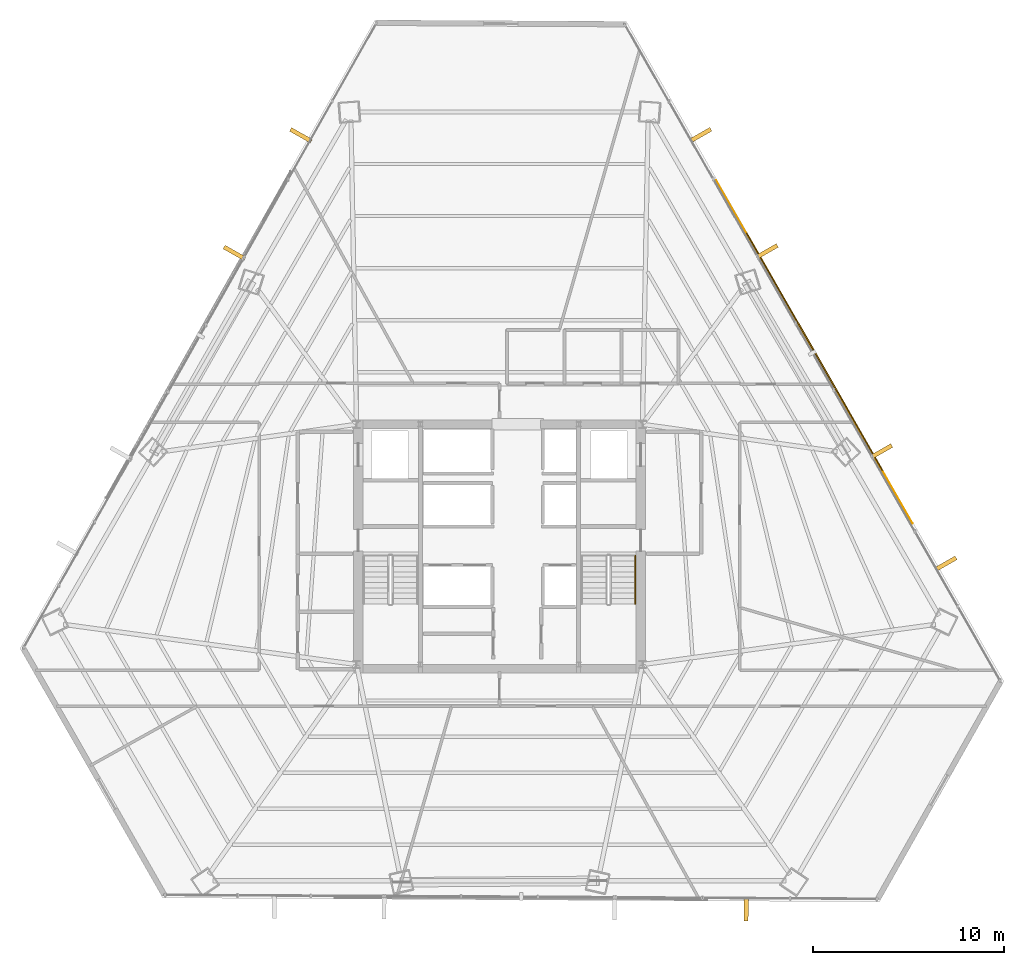
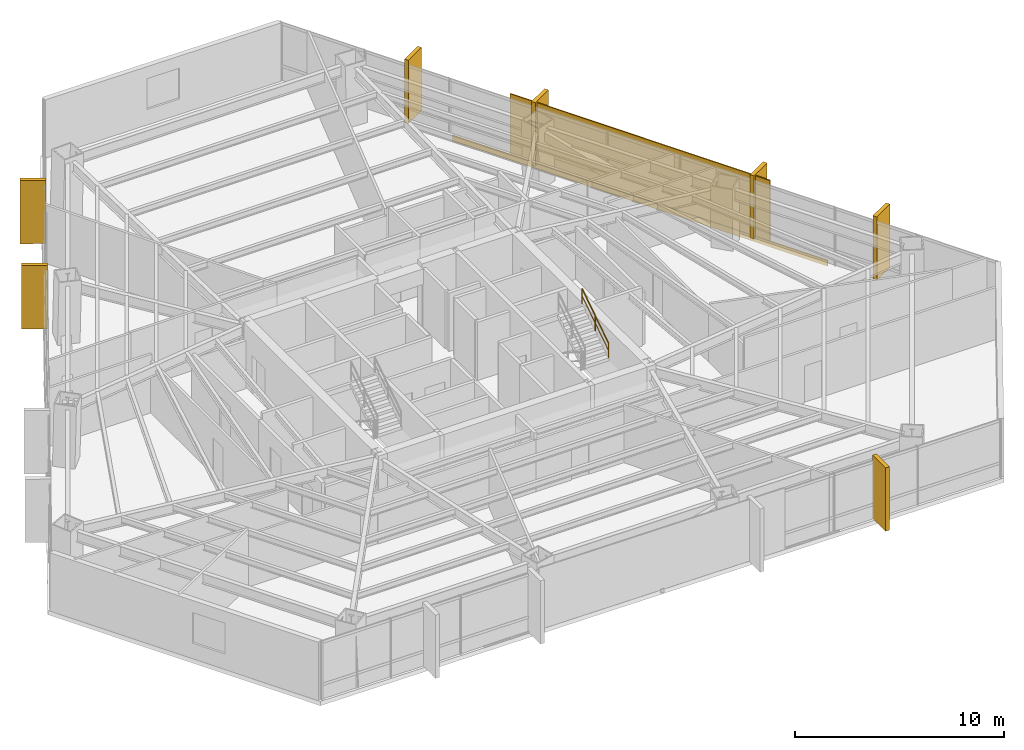
# One storey, part 35 of 35: 8 coverings, 1 railing, 1 shading device.
"""IFC4 building model written with IfcOpenShell, lengths in metres."""

from ifc_helpers import new_model, si_unit, direction, frame, origin, origin_2d, place, context, subcontext, project, spatial, rectangle, extrude, source, transform, mapped, material, layer, layer_set, type_object, type_shapes, element, save


model = new_model("IFC4")

# Units and contexts
model_context = context("Model", 3, precision=1e-05, world=origin(), true_north=direction((0.0, 1.0)))
body_context = subcontext(model_context, "Body", "Model", "MODEL_VIEW")
ifc_project = project(units=[si_unit("LENGTHUNIT", "METRE"), si_unit("AREAUNIT", "SQUARE_METRE"), si_unit("VOLUMEUNIT", "CUBIC_METRE"), si_unit("PLANEANGLEUNIT", "RADIAN"), si_unit("MASSUNIT", "GRAM", prefix="KILO")], contexts=[model_context])

# Site, building, storey
site_placement = place(None, origin())
site = spatial("IfcSite", under=ifc_project, at=site_placement, CompositionType="ELEMENT")
building_placement = place(site_placement, origin())
building = spatial("IfcBuilding", under=site, at=building_placement, Name="Caelisora Broadcast Tower", CompositionType="ELEMENT")
storey_placement = place(building_placement, frame((0.0, 0.0, 87.14990234375)))
storey = spatial("IfcBuildingStorey", under=building, at=storey_placement, Name="L22", CompositionType="ELEMENT", Elevation=87.14990234375)

# Railing
ifc_material_1 = material(Name="Stainless Steel Grade 316 Tubular Handrail", Category="steel")
ifc_layer_1 = layer(ifc_material_1, 0.048095703125, Name="Stainless Steel Grade 316 Tubular Handrail")
ifc_layer_set_1 = layer_set([ifc_layer_1], Name="Stainless Steel Grade 316 Tubular Handrail")
railing_type = type_object("IfcRailingType", Name="HR-1", PredefinedType="HANDRAIL", material=ifc_layer_set_1)
railing_placement = place(storey_placement, frame((45.1298828125, 20.580078125, 2.007568359375)))
element("IfcRailing", 1, at=railing_placement, inside=storey, type_object=railing_type, Name="L22 ST-2 stair handrail 2", PredefinedType="HANDRAIL", context=body_context, shape_type="SweptSolid", body=[
    extrude(rectangle(XDim=0.048095703125, YDim=0.048095703125, at=origin_2d()), frame((0.0, 0.0, 0.8759765625), z_axis=(0.0, 0.837749427056, 0.546054848405), x_axis=(-1.0, 0.0, 0.0)), (0.0, 0.0, 1.0), 3.008056640625),
    extrude(rectangle(XDim=0.03125, YDim=0.03125, at=origin_2d()), frame((0.0, 0.0, 0.449951171875), z_axis=(0.0, 0.837749427056, 0.546054848405), x_axis=(-1.0, 0.0, 0.0)), (0.0, 0.0, 1.0), 3.008056640625),
    extrude(rectangle(XDim=0.0419921875, YDim=0.0419921875, at=origin_2d()), origin(), (0.0, 0.0, 1.0), 0.851806640625),
    extrude(rectangle(XDim=0.0419921875, YDim=0.0419921875, at=origin_2d()), frame((0.0, 1.260009765625, 0.8212890625)), (0.0, 0.0, 1.0), 0.851806640625),
    extrude(rectangle(XDim=0.0419921875, YDim=0.0419921875, at=origin_2d()), frame((0.0, 2.52001953125, 1.642578125)), (0.0, 0.0, 1.0), 0.851806640625),
])

# Coverings
ifc_material_2 = material(Name="Kiln-Fired Terracotta Spandrel Rainscreen Cladding", Category="ceramic")
ifc_layer_2 = layer(ifc_material_2, 0.044921875, Name="Kiln-Fired Terracotta Spandrel Rainscreen Cladding")
ifc_layer_set_2 = layer_set([ifc_layer_2], Name="Kiln-Fired Terracotta Spandrel Rainscreen Cladding")
covering_type = type_object("IfcCoveringType", Name="CL-1", PredefinedType="CLADDING", material=ifc_layer_set_2)
shared_shape_1 = source(origin(), body_context, "Body", "SweptSolid", [
    extrude(rectangle(XDim=0.219970703125, YDim=1.25, at=origin_2d()), origin(), (0.0, 0.0, 1.0), 3.68994140625),
])
for number, where, z_axis, x_axis, name in (
    (2, (48.54296875, 45.167724609375, -0.019775390625), (0.0, 0.0, 1.0), (0.496519531995, -0.868025549363, 0.0), "L22 vertical solar fin cladding #1-1"),
    (3, (52.02978515625, 39.072509765625, -0.019775390625), (0.0, 0.0, 1.0), (0.496519531995, -0.868025549363, 0.0), "L22 vertical solar fin cladding #1-2"),
    (4, (58.032958984375, 28.57861328125, -0.019775390625), (0.0, 0.0, 1.0), (0.496519531995, -0.868025549363, 0.0), "L22 vertical solar fin cladding #1-3"),
    (5, (61.404052734375, 22.685791015625, -0.019775390625), (0.0, 0.0, 1.0), (0.496519531995, -0.868025549363, 0.0), "L22 vertical solar fin cladding #1-4"),
    (6, (50.939208984375, 4.5791015625, -0.019775390625), (0.0, 0.0, 1.0), (-0.999984403629, 0.005585024571, 0.0), "L22 vertical solar fin cladding #2-1"),
    (7, (24.0966796875, 38.990478515625, -0.019775390625), (0.0, 0.0, 1.0), (0.49181581725, 0.870699260309, 0.0), "L22 vertical solar fin cladding #3-3"),
    (8, (27.58203125, 45.161376953125, -0.019775390625), (0.0, 0.0, 1.0), (0.49181581725, 0.870699260309, 0.0), "L22 vertical solar fin cladding #3-4"),
):
    element("IfcCovering", number, at=place(storey_placement, frame(where, z_axis=z_axis, x_axis=x_axis)), inside=storey, type_object=covering_type, Name=name, PredefinedType="CLADDING", context=body_context, shape_type="MappedRepresentation", body=[
        mapped(shared_shape_1, transform((0.0, 0.0, 0.0), scale=1.0)),
    ])

# Shading device
ifc_material_3 = material(Name="Perforated Glazed Terracotta Baguette Solar Screen", Category="ceramic")
ifc_layer_3 = layer(ifc_material_3, 0.06494140625, Name="Perforated Glazed Terracotta Baguette Solar Screen")
ifc_layer_set_3 = layer_set([ifc_layer_3], Name="Perforated Glazed Terracotta Baguette Solar Screen")
shading_device_type = type_object("IfcShadingDeviceType", Name="SS-1", PredefinedType="USERDEFINED", material=ifc_layer_set_3)
shared_shape_2 = source(origin(), body_context, "Body", "SweptSolid", [
    extrude(rectangle(XDim=14.35791015625, YDim=0.06494140625, at=origin_2d()), origin(), (0.0, 0.0, 1.0), 3.590087890625),
])
type_shapes(shading_device_type, [shared_shape_2])
shading_device_placement = place(storey_placement, frame((54.52490234375, 33.80517578125, 0.0), z_axis=(0.0, 0.0, 1.0), x_axis=(-0.496519531995, 0.868025549363, 0.0)))
element("IfcShadingDevice", 9, at=shading_device_placement, inside=storey, type_object=shading_device_type, Name="L22 perforated terracotta solar screen #3", ObjectType="SOLAR SCREEN", PredefinedType="USERDEFINED", context=body_context, shape_type="MappedRepresentation", body=[
    mapped(shared_shape_2, transform((0.0, 0.0, 0.0), scale=1.0)),
])

# Covering
shared_shape_3 = source(origin(), body_context, "Body", "SweptSolid", [
    extrude(rectangle(XDim=20.739990234375, YDim=0.044921875, at=origin_2d()), origin(), (0.0, 0.0, 1.0), 0.340087890625),
])
type_shapes(covering_type, [shared_shape_1, shared_shape_3])
covering_placement = place(storey_placement, frame((54.50732421875, 33.795166015625, -0.27001953125), z_axis=(0.0, 0.0, 1.0), x_axis=(-0.496519531995, 0.868025549363, 0.0)))
element("IfcCovering", 10, at=covering_placement, inside=storey, type_object=covering_type, Name="L22 terracotta spandrel rainscreen #3", PredefinedType="CLADDING", context=body_context, shape_type="MappedRepresentation", body=[
    mapped(shared_shape_3, transform((0.0, 0.0, 0.0), scale=1.0)),
])

save(model, "model.ifc")
